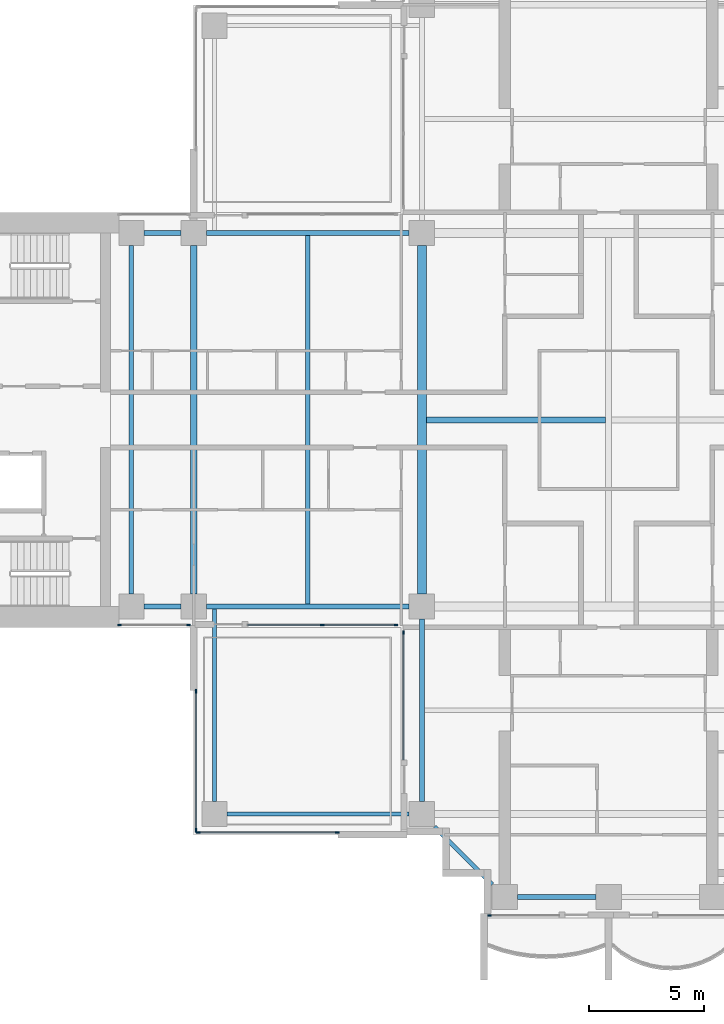
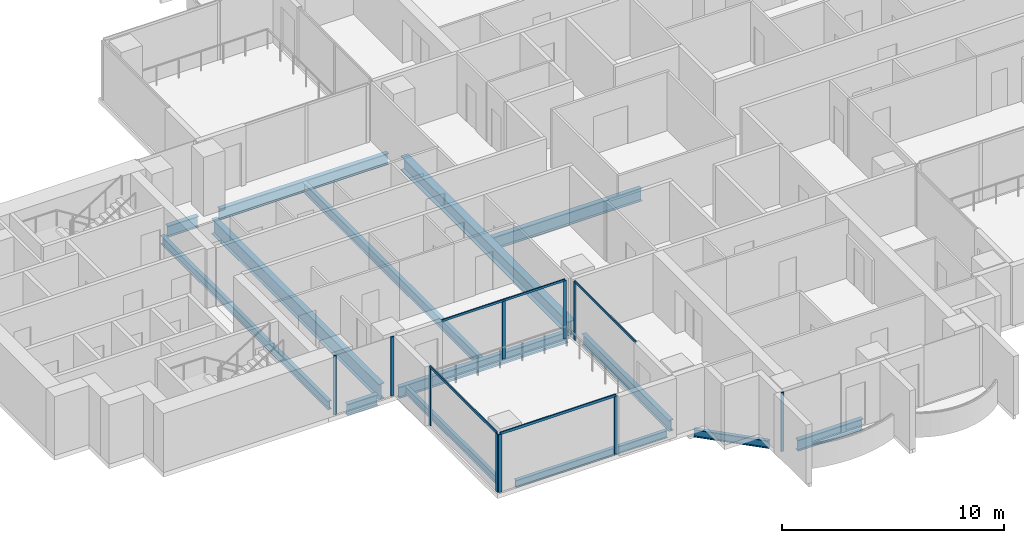
# One storey, part 2 of 18: 14 beams, 14 members, 6 elements without a shape of their own.
"""IFC4 building model written with IfcOpenShell, lengths in metres."""

from ifc_helpers import new_model, si_unit, direction, frame, origin, origin_2d, place, context, subcontext, project, spatial, rectangle, i_section, extrude, material, material_profile, profile_set, type_object, element, aggregate, save


model = new_model("IFC4")

# Units and contexts
model_context = context("Model", 3, precision=1e-05, world=origin(), true_north=direction((0.0, 1.0)))
body_context = subcontext(model_context, "Body", "Model", "MODEL_VIEW")
ifc_project = project(units=[si_unit("LENGTHUNIT", "METRE"), si_unit("AREAUNIT", "SQUARE_METRE"), si_unit("VOLUMEUNIT", "CUBIC_METRE"), si_unit("PLANEANGLEUNIT", "RADIAN"), si_unit("MASSUNIT", "GRAM", prefix="KILO")], contexts=[model_context])

# Site, building, storey
site_placement = place(None, origin())
site = spatial("IfcSite", under=ifc_project, at=site_placement, CompositionType="ELEMENT")
building_placement = place(site_placement, origin())
building = spatial("IfcBuilding", under=site, at=building_placement, Name="Perihelion Cross Residences", CompositionType="ELEMENT")
storey_placement = place(building_placement, frame((0.0, 0.0, 130.39990234375)))
storey = spatial("IfcBuildingStorey", under=building, at=storey_placement, Name="L31", CompositionType="ELEMENT", Elevation=130.39990234375)

# Curtain wall, members
ifc_material_1 = material(Name="Bronze anodised aluminium, tinted glazing", Category="aluminium")
curtain_wall_type_1 = type_object("IfcCurtainWallType", Name="CW1", PredefinedType="NOTDEFINED", material=ifc_material_1)
curtain_wall_1_placement = place(storey_placement, origin())
curtain_wall_1 = element("IfcCurtainWall", 1, at=curtain_wall_1_placement, inside=storey, type_object=curtain_wall_type_1, Name="Curtain wall CW1 L31 west side south bay 1", PredefinedType="NOTDEFINED")
ifc_material_2 = material(Name="Bronze anodised aluminium", Category="aluminium")
ifc_material_profile_1 = material_profile(ifc_material_2, rectangle(XDim=0.06005859375, YDim=0.159912109375, at=origin_2d()), Name="CW1 mullion")
ifc_profile_set_1 = profile_set([ifc_material_profile_1], Name="Bronze anodised aluminium")
member_type_1 = type_object("IfcMemberType", Name="CW1 mullion", PredefinedType="MULLION", material=ifc_profile_set_1)
member_1_placement = place(storey_placement, frame((-21.219970703125, -8.89990234375, 0.0), z_axis=(0.0, 0.0, 1.0), x_axis=(0.0, 1.0, 0.0)))
member_1 = element("IfcMember", 2, at=member_1_placement, type_object=member_type_1, Name="CW1 mullion 1", PredefinedType="MULLION", context=body_context, shape_type="SweptSolid", body=[
    extrude(rectangle(XDim=0.06005859375, YDim=0.159912109375, at=origin_2d()), origin(), (0.0, 0.0, 1.0), 3.25),
])
member_2_placement = place(storey_placement, frame((-18.22998046875, -8.89990234375, 0.0), z_axis=(0.0, 0.0, 1.0), x_axis=(0.0, 1.0, 0.0)))
member_2 = element("IfcMember", 3, at=member_2_placement, type_object=member_type_1, Name="CW1 mullion 2", PredefinedType="MULLION", context=body_context, shape_type="SweptSolid", body=[
    extrude(rectangle(XDim=0.06005859375, YDim=0.159912109375, at=origin_2d()), origin(), (0.0, 0.0, 1.0), 3.25),
])
aggregate(curtain_wall_1, [member_1, member_2])

curtain_wall_2_placement = place(storey_placement, origin())
curtain_wall_2 = element("IfcCurtainWall", 4, at=curtain_wall_2_placement, inside=storey, type_object=curtain_wall_type_1, Name="Curtain wall CW1 L31 west side south bay 2", PredefinedType="NOTDEFINED")
member_3_placement = place(storey_placement, frame((-12.425048828125, -8.89990234375, 0.0), z_axis=(0.0, 0.0, 1.0), x_axis=(0.0, 1.0, 0.0)))
member_3 = element("IfcMember", 5, at=member_3_placement, type_object=member_type_1, Name="CW1 mullion 2", PredefinedType="MULLION", context=body_context, shape_type="SweptSolid", body=[
    extrude(rectangle(XDim=0.06005859375, YDim=0.159912109375, at=origin_2d()), origin(), (0.0, 0.0, 1.0), 3.190185546875),
])
member_4_placement = place(storey_placement, frame((-9.22998046875, -8.89990234375, 0.0), z_axis=(0.0, 0.0, 1.0), x_axis=(0.0, 1.0, 0.0)))
member_4 = element("IfcMember", 6, at=member_4_placement, type_object=member_type_1, Name="CW1 mullion 3", PredefinedType="MULLION", context=body_context, shape_type="SweptSolid", body=[
    extrude(rectangle(XDim=0.06005859375, YDim=0.159912109375, at=origin_2d()), origin(), (0.0, 0.0, 1.0), 3.190185546875),
])

# Curtain wall, member
curtain_wall_3_placement = place(storey_placement, origin())
curtain_wall_3 = element("IfcCurtainWall", 7, at=curtain_wall_3_placement, inside=storey, type_object=curtain_wall_type_1, Name="Curtain wall CW1 L31 south side west bay 1", PredefinedType="NOTDEFINED")
member_5_placement = place(storey_placement, frame((-8.89990234375, -9.22998046875, 0.0), z_axis=(0.0, 0.0, 1.0), x_axis=(1.0, 0.0, 0.0)))
member_5 = element("IfcMember", 8, at=member_5_placement, type_object=member_type_1, Name="CW1 mullion 1", PredefinedType="MULLION", context=body_context, shape_type="SweptSolid", body=[
    extrude(rectangle(XDim=0.06005859375, YDim=0.159912109375, at=origin_2d()), origin(), (0.0, 0.0, 1.0), 3.190185546875),
])

curtain_wall_4_placement = place(storey_placement, origin())
curtain_wall_4 = element("IfcCurtainWall", 9, at=curtain_wall_4_placement, inside=storey, type_object=curtain_wall_type_1, Name="Curtain wall CW1 L31 south tip south bay 1", PredefinedType="NOTDEFINED")
member_6_placement = place(storey_placement, frame((-5.169921875, -21.5, 0.0), z_axis=(0.0, 0.0, 1.0), x_axis=(0.0, 1.0, 0.0)))
member_6 = element("IfcMember", 10, at=member_6_placement, type_object=member_type_1, Name="CW1 mullion 1", PredefinedType="MULLION", context=body_context, shape_type="SweptSolid", body=[
    extrude(rectangle(XDim=0.06005859375, YDim=0.159912109375, at=origin_2d()), origin(), (0.0, 0.0, 1.0), 3.25),
])
aggregate(curtain_wall_4, [member_6])

# Member
ifc_material_3 = material(Name="Bronze anodised aluminium", Category="aluminium")
ifc_material_profile_2 = material_profile(ifc_material_3, rectangle(XDim=0.06005859375, YDim=0.1201171875, at=origin_2d()), Name="CW1 transom")
ifc_profile_set_2 = profile_set([ifc_material_profile_2], Name="Bronze anodised aluminium")
member_type_2 = type_object("IfcMemberType", Name="CW1 transom", PredefinedType="USERDEFINED", material=ifc_profile_set_2)
member_7_placement = place(storey_placement, frame((-15.64990234375, -8.89990234375, 3.22021484375), z_axis=(1.0, 0.0, 0.0), x_axis=(0.0, 1.0, 0.0)))
member_7 = element("IfcMember", 11, at=member_7_placement, type_object=member_type_2, Name="CW1 head transom", ObjectType="TRANSOM", PredefinedType="USERDEFINED", context=body_context, shape_type="SweptSolid", body=[
    extrude(rectangle(XDim=0.06005859375, YDim=0.1201171875, at=origin_2d()), origin(), (0.0, 0.0, 1.0), 6.419921875),
])

aggregate(curtain_wall_2, [member_3, member_4, member_7])

member_8_placement = place(storey_placement, frame((-8.89990234375, -9.22998046875, 3.22021484375), z_axis=(0.0, -1.0, 0.0), x_axis=(1.0, 0.0, 0.0)))
member_8 = element("IfcMember", 12, at=member_8_placement, type_object=member_type_2, Name="CW1 head transom", ObjectType="TRANSOM", PredefinedType="USERDEFINED", context=body_context, shape_type="SweptSolid", body=[
    extrude(rectangle(XDim=0.06005859375, YDim=0.1201171875, at=origin_2d()), origin(), (0.0, 0.0, 1.0), 5.52001953125),
])

aggregate(curtain_wall_3, [member_5, member_8])

# Curtain wall, members
ifc_material_4 = material(Name="Bronze anodised aluminium, tinted glazing", Category="aluminium")
curtain_wall_type_2 = type_object("IfcCurtainWallType", Name="CW4", PredefinedType="NOTDEFINED", material=ifc_material_4)
curtain_wall_5_placement = place(storey_placement, origin())
curtain_wall_5 = element("IfcCurtainWall", 13, at=curtain_wall_5_placement, inside=storey, type_object=curtain_wall_type_2, Name="Curtain wall CW4 L31 pocket south-west 1 1", PredefinedType="NOTDEFINED")
ifc_material_5 = material(Name="Bronze anodised aluminium", Category="aluminium")
ifc_material_profile_3 = material_profile(ifc_material_5, rectangle(XDim=0.06005859375, YDim=0.179931640625, at=origin_2d()), Name="CW4 mullion")
ifc_profile_set_3 = profile_set([ifc_material_profile_3], Name="Bronze anodised aluminium")
member_type_3 = type_object("IfcMemberType", Name="CW4 mullion", PredefinedType="MULLION", material=ifc_profile_set_3)
member_9_placement = place(storey_placement, frame((-11.77001953125, -17.89990234375, 0.0), z_axis=(0.0, 0.0, 1.0), x_axis=(0.0, -1.0, 0.0)))
member_9 = element("IfcMember", 14, at=member_9_placement, type_object=member_type_3, Name="CW4 mullion 1", PredefinedType="MULLION", context=body_context, shape_type="SweptSolid", body=[
    extrude(rectangle(XDim=0.06005859375, YDim=0.179931640625, at=origin_2d()), origin(), (0.0, 0.0, 1.0), 3.190185546875),
])
member_10_placement = place(storey_placement, frame((-17.800048828125, -17.89990234375, 0.0), z_axis=(0.0, 0.0, 1.0), x_axis=(0.0, -1.0, 0.0)))
member_10 = element("IfcMember", 15, at=member_10_placement, type_object=member_type_3, Name="CW4 mullion 2", PredefinedType="MULLION", context=body_context, shape_type="SweptSolid", body=[
    extrude(rectangle(XDim=0.06005859375, YDim=0.179931640625, at=origin_2d()), origin(), (0.0, 0.0, 1.0), 3.190185546875),
])

curtain_wall_6_placement = place(storey_placement, origin())
curtain_wall_6 = element("IfcCurtainWall", 16, at=curtain_wall_6_placement, inside=storey, type_object=curtain_wall_type_2, Name="Curtain wall CW4 L31 pocket south-west 1 2", PredefinedType="NOTDEFINED")
member_11_placement = place(storey_placement, frame((-17.89990234375, -17.800048828125, 0.0), z_axis=(0.0, 0.0, 1.0), x_axis=(-1.0, 0.0, 0.0)))
member_11 = element("IfcMember", 17, at=member_11_placement, type_object=member_type_3, Name="CW4 mullion 1", PredefinedType="MULLION", context=body_context, shape_type="SweptSolid", body=[
    extrude(rectangle(XDim=0.06005859375, YDim=0.179931640625, at=origin_2d()), origin(), (0.0, 0.0, 1.0), 3.190185546875),
])
member_12_placement = place(storey_placement, frame((-17.89990234375, -11.77001953125, 0.0), z_axis=(0.0, 0.0, 1.0), x_axis=(-1.0, 0.0, 0.0)))
member_12 = element("IfcMember", 18, at=member_12_placement, type_object=member_type_3, Name="CW4 mullion 2", PredefinedType="MULLION", context=body_context, shape_type="SweptSolid", body=[
    extrude(rectangle(XDim=0.06005859375, YDim=0.179931640625, at=origin_2d()), origin(), (0.0, 0.0, 1.0), 3.190185546875),
])

# Member
ifc_material_6 = material(Name="Bronze anodised aluminium", Category="aluminium")
ifc_material_profile_4 = material_profile(ifc_material_6, rectangle(XDim=0.06005859375, YDim=0.139892578125, at=origin_2d()), Name="CW4 transom")
ifc_profile_set_4 = profile_set([ifc_material_profile_4], Name="Bronze anodised aluminium")
member_type_4 = type_object("IfcMemberType", Name="CW4 transom", PredefinedType="USERDEFINED", material=ifc_profile_set_4)
member_13_placement = place(storey_placement, frame((-11.77001953125, -17.89990234375, 3.22021484375), z_axis=(-1.0, 0.0, 0.0), x_axis=(0.0, -1.0, 0.0)))
member_13 = element("IfcMember", 19, at=member_13_placement, type_object=member_type_4, Name="CW4 head transom", ObjectType="TRANSOM", PredefinedType="USERDEFINED", context=body_context, shape_type="SweptSolid", body=[
    extrude(rectangle(XDim=0.06005859375, YDim=0.139892578125, at=origin_2d()), origin(), (0.0, 0.0, 1.0), 6.030029296875),
])

aggregate(curtain_wall_5, [member_9, member_10, member_13])

member_14_placement = place(storey_placement, frame((-17.89990234375, -17.800048828125, 3.22021484375), z_axis=(0.0, 1.0, 0.0), x_axis=(-1.0, 0.0, 0.0)))
member_14 = element("IfcMember", 20, at=member_14_placement, type_object=member_type_4, Name="CW4 head transom", ObjectType="TRANSOM", PredefinedType="USERDEFINED", context=body_context, shape_type="SweptSolid", body=[
    extrude(rectangle(XDim=0.06005859375, YDim=0.139892578125, at=origin_2d()), origin(), (0.0, 0.0, 1.0), 6.030029296875),
])

aggregate(curtain_wall_6, [member_11, member_12, member_14])

# Beams
ifc_material_7 = material(Name="Steel S355", Category="steel")
ifc_material_profile_5 = material_profile(ifc_material_7, i_section(OverallWidth=0.177978515625, OverallDepth=0.406005859375, WebThickness=0.0078125, FlangeThickness=0.0126953125, at=origin_2d()), Name="W410x60")
ifc_profile_set_5 = profile_set([ifc_material_profile_5], Name="Steel S355")
beam_type_1 = type_object("IfcBeamType", Name="Core edge beam W410x60", PredefinedType="BEAM", material=ifc_profile_set_5)
beam_1_placement = place(storey_placement, frame((-17.10009765625, -8.214599609375, -0.452880859375), z_axis=(0.0, -1.0, 0.0), x_axis=(1.0, 0.0, 0.0)))
element("IfcBeam", 21, at=beam_1_placement, inside=storey, type_object=beam_type_1, Name="Core edge beam TB2 L31 corner no. 1", PredefinedType="BEAM", context=body_context, shape_type="SweptSolid", body=[
    extrude(i_section(OverallWidth=0.177978515625, OverallDepth=0.406005859375, WebThickness=0.0078125, FlangeThickness=0.0126953125, at=origin_2d()), origin(), (0.0, 0.0, 1.0), 8.33544921875),
])
beam_2_placement = place(storey_placement, frame((-8.64990234375, -17.10009765625, -0.452880859375), z_axis=(-1.0, 0.0, 0.0), x_axis=(0.0, -1.0, 0.0)))
element("IfcBeam", 22, at=beam_2_placement, inside=storey, type_object=beam_type_1, Name="Core edge beam TB2 L31 corner no. 2", PredefinedType="BEAM", context=body_context, shape_type="SweptSolid", body=[
    extrude(i_section(OverallWidth=0.177978515625, OverallDepth=0.406005859375, WebThickness=0.0078125, FlangeThickness=0.0126953125, at=origin_2d()), origin(), (0.0, 0.0, 1.0), 7.900146484375),
])
ifc_material_8 = material(Name="Steel S355", Category="steel")
ifc_material_profile_6 = material_profile(ifc_material_8, i_section(OverallWidth=0.194091796875, OverallDepth=0.469970703125, WebThickness=0.0126953125, FlangeThickness=0.0205078125, at=origin_2d()), Name="W460x106")
ifc_profile_set_6 = profile_set([ifc_material_profile_6], Name="Steel S355")
beam_type_2 = type_object("IfcBeamType", Name="Core edge beam W460x106", PredefinedType="BEAM", material=ifc_profile_set_6)
beam_3_placement = place(storey_placement, frame((-20.699951171875, -7.550048828125, -0.48486328125), z_axis=(0.0, 1.0, 0.0), x_axis=(-1.0, 0.0, 0.0)))
element("IfcBeam", 23, at=beam_3_placement, inside=storey, type_object=beam_type_2, Name="Core edge beam TB5 L31 no. 1", PredefinedType="BEAM", context=body_context, shape_type="SweptSolid", body=[
    extrude(i_section(OverallWidth=0.194091796875, OverallDepth=0.469970703125, WebThickness=0.0126953125, FlangeThickness=0.0205078125, at=origin_2d()), origin(), (0.0, 0.0, 1.0), 15.10009765625),
])
ifc_material_9 = material(Name="Steel S355", Category="steel")
ifc_material_profile_7 = material_profile(ifc_material_9, i_section(OverallWidth=0.22900390625, OverallDepth=0.612060546875, WebThickness=0.011962890625, FlangeThickness=0.01953125, at=origin_2d()), Name="W610x125")
ifc_profile_set_7 = profile_set([ifc_material_profile_7], Name="Steel S355")
beam_type_3 = type_object("IfcBeamType", Name="Edge beam W610x125", PredefinedType="SPANDREL", material=ifc_profile_set_7)
beam_4_placement = place(storey_placement, frame((-8.64990234375, 8.10009765625, -0.555908203125), z_axis=(-1.0, 0.0, 0.0), x_axis=(0.0, -1.0, 0.0)))
element("IfcBeam", 24, at=beam_4_placement, inside=storey, type_object=beam_type_3, Name="Edge beam SB3 L31 no. 8", PredefinedType="SPANDREL", context=body_context, shape_type="SweptSolid", body=[
    extrude(i_section(OverallWidth=0.22900390625, OverallDepth=0.612060546875, WebThickness=0.011962890625, FlangeThickness=0.01953125, at=origin_2d()), origin(), (0.0, 0.0, 1.0), 8.800048828125),
])
for number, where, z_axis, x_axis, name in (
    (25, (-18.550048828125, 8.10009765625, -0.555908203125), (-1.0, 0.0, 0.0), (0.0, -1.0, 0.0), "Edge beam SB3 L31 no. 2"),
    (26, (-20.14990234375, -8.10009765625, -0.555908203125), (1.0, 0.0, 0.0), (0.0, 1.0, 0.0), "Edge beam SB3 L31 no. 3"),
):
    element("IfcBeam", number, at=place(storey_placement, frame(where, z_axis=z_axis, x_axis=x_axis)), inside=storey, type_object=beam_type_3, Name=name, PredefinedType="SPANDREL", context=body_context, shape_type="SweptSolid", body=[
        extrude(i_section(OverallWidth=0.22900390625, OverallDepth=0.612060546875, WebThickness=0.011962890625, FlangeThickness=0.01953125, at=origin_2d()), origin(), (0.0, 0.0, 1.0), 1.599853515625),
    ])
beam_5_placement = place(storey_placement, frame((-17.449951171875, -8.10009765625, -0.555908203125), z_axis=(1.0, 0.0, 0.0), x_axis=(0.0, 1.0, 0.0)))
element("IfcBeam", 27, at=beam_5_placement, inside=storey, type_object=beam_type_3, Name="Edge beam SB3 L31 no. 1", PredefinedType="SPANDREL", context=body_context, shape_type="SweptSolid", body=[
    extrude(i_section(OverallWidth=0.22900390625, OverallDepth=0.612060546875, WebThickness=0.011962890625, FlangeThickness=0.01953125, at=origin_2d()), origin(), (0.0, 0.0, 1.0), 8.800048828125),
])
beam_6_placement = place(storey_placement, frame((-8.10009765625, -8.64990234375, -0.555908203125), z_axis=(0.0, -1.0, 0.0), x_axis=(1.0, 0.0, 0.0)))
element("IfcBeam", 28, at=beam_6_placement, inside=storey, type_object=beam_type_3, Name="Edge beam SB3 L31 no. 5", PredefinedType="SPANDREL", context=body_context, shape_type="SweptSolid", body=[
    extrude(i_section(OverallWidth=0.22900390625, OverallDepth=0.612060546875, WebThickness=0.011962890625, FlangeThickness=0.01953125, at=origin_2d()), origin(), (0.0, 0.0, 1.0), 7.900146484375),
])
beam_7_placement = place(storey_placement, frame((-3.949951171875, -20.699951171875, -0.555908203125), z_axis=(1.0, 0.0, 0.0), x_axis=(0.0, 1.0, 0.0)))
element("IfcBeam", 29, at=beam_7_placement, inside=storey, type_object=beam_type_3, Name="Edge beam SB3 L31 no. 4", PredefinedType="SPANDREL", context=body_context, shape_type="SweptSolid", body=[
    extrude(i_section(OverallWidth=0.22900390625, OverallDepth=0.612060546875, WebThickness=0.011962890625, FlangeThickness=0.01953125, at=origin_2d()), origin(), (0.0, 0.0, 1.0), 3.39990234375),
])
ifc_material_10 = material(Name="Steel S355", Category="steel")
ifc_material_profile_8 = material_profile(ifc_material_10, i_section(OverallWidth=0.2919921875, OverallDepth=0.8359375, WebThickness=0.013916015625, FlangeThickness=0.018798828125, at=origin_2d()), Name="W840x176")
ifc_profile_set_8 = profile_set([ifc_material_profile_8], Name="Steel S355")
beam_type_4 = type_object("IfcBeamType", Name="Floor girder W840x176", PredefinedType="BEAM", material=ifc_profile_set_8)
beam_8_placement = place(storey_placement, frame((-18.0, -7.550048828125, -0.66796875), z_axis=(0.0, 1.0, 0.0), x_axis=(-1.0, 0.0, 0.0)))
element("IfcBeam", 30, at=beam_8_placement, inside=storey, type_object=beam_type_4, Name="Girder G3 L31 no. 1", PredefinedType="BEAM", context=body_context, shape_type="SweptSolid", body=[
    extrude(i_section(OverallWidth=0.2919921875, OverallDepth=0.8359375, WebThickness=0.013916015625, FlangeThickness=0.018798828125, at=origin_2d()), origin(), (0.0, 0.0, 1.0), 15.10009765625),
])
ifc_material_11 = material(Name="Steel S355", Category="steel")
ifc_material_profile_9 = material_profile(ifc_material_11, i_section(OverallWidth=0.208984375, OverallDepth=0.532958984375, WebThickness=0.01025390625, FlangeThickness=0.015625, at=origin_2d()), Name="W530x92")
ifc_profile_set_9 = profile_set([ifc_material_profile_9], Name="Steel S355")
beam_type_5 = type_object("IfcBeamType", Name="Floor joist W530x92", PredefinedType="JOIST", material=ifc_profile_set_9)
beam_9_placement = place(storey_placement, frame((-13.050048828125, -7.985595703125, -0.516357421875), z_axis=(0.0, 1.0, 0.0), x_axis=(-1.0, 0.0, 0.0)))
element("IfcBeam", 31, at=beam_9_placement, inside=storey, type_object=beam_type_5, Name="Joist J4 L31 no. 1", PredefinedType="JOIST", context=body_context, shape_type="SweptSolid", body=[
    extrude(i_section(OverallWidth=0.208984375, OverallDepth=0.532958984375, WebThickness=0.01025390625, FlangeThickness=0.015625, at=origin_2d()), origin(), (0.0, 0.0, 1.0), 15.97119140625),
])
ifc_material_12 = material(Name="Steel S355", Category="steel")
ifc_material_profile_10 = material_profile(ifc_material_12, i_section(OverallWidth=0.257080078125, OverallDepth=0.693115234375, WebThickness=0.014404296875, FlangeThickness=0.023681640625, at=origin_2d()), Name="W690x170")
ifc_profile_set_10 = profile_set([ifc_material_profile_10], Name="Steel S355")
beam_type_6 = type_object("IfcBeamType", Name="Hub cross beam W690x170", PredefinedType="BEAM", material=ifc_profile_set_10)
beam_10_placement = place(storey_placement, frame((-7.909423828125, 0.0, -0.596435546875), z_axis=(1.0, 0.0, 0.0), x_axis=(0.0, 1.0, 0.0)))
element("IfcBeam", 32, at=beam_10_placement, inside=storey, type_object=beam_type_6, Name="Hub cross beam XB3 L31 1 no. 1", PredefinedType="BEAM", context=body_context, shape_type="SweptSolid", body=[
    extrude(i_section(OverallWidth=0.257080078125, OverallDepth=0.693115234375, WebThickness=0.014404296875, FlangeThickness=0.023681640625, at=origin_2d()), origin(), (0.0, 0.0, 1.0), 7.781005859375),
])
ifc_material_13 = material(Name="Steel S355", Category="steel")
ifc_material_profile_11 = material_profile(ifc_material_13, i_section(OverallWidth=0.381103515625, OverallDepth=0.77197265625, WebThickness=0.0166015625, FlangeThickness=0.027099609375, at=origin_2d()), Name="W760x257")
ifc_profile_set_11 = profile_set([ifc_material_profile_11], Name="Steel S355")
beam_type_7 = type_object("IfcBeamType", Name="Hub ring girder W760x257", PredefinedType="BEAM", material=ifc_profile_set_11)
beam_11_placement = place(storey_placement, frame((-8.10009765625, 7.550048828125, -0.635986328125), z_axis=(0.0, -1.0, 0.0), x_axis=(1.0, 0.0, 0.0)))
element("IfcBeam", 33, at=beam_11_placement, inside=storey, type_object=beam_type_7, Name="Hub ring girder RG3 L31 no. 2", PredefinedType="BEAM", context=body_context, shape_type="SweptSolid", body=[
    extrude(i_section(OverallWidth=0.381103515625, OverallDepth=0.77197265625, WebThickness=0.0166015625, FlangeThickness=0.027099609375, at=origin_2d()), origin(), (0.0, 0.0, 1.0), 15.10009765625),
])
ifc_material_14 = material(Name="Steel S355", Category="steel")
ifc_material_profile_12 = material_profile(ifc_material_14, i_section(OverallWidth=0.180908203125, OverallDepth=0.4169921875, WebThickness=0.010986328125, FlangeThickness=0.018310546875, at=origin_2d()), Name="W410x85")
ifc_profile_set_12 = profile_set([ifc_material_profile_12], Name="Steel S355")
beam_type_8 = type_object("IfcBeamType", Name="Serration edge beam W410x85", PredefinedType="BEAM", material=ifc_profile_set_12)
beam_12_placement = place(storey_placement, frame((-7.550048828125, -17.64990234375, -0.45849609375), z_axis=(0.707106781187, -0.707106781187, 0.0), x_axis=(0.707106781187, 0.707106781187, 0.0)))
element("IfcBeam", 34, at=beam_12_placement, inside=storey, type_object=beam_type_8, Name="Serration edge beam EB3 L31 no. 2", PredefinedType="BEAM", context=body_context, shape_type="SweptSolid", body=[
    extrude(i_section(OverallWidth=0.180908203125, OverallDepth=0.4169921875, WebThickness=0.010986328125, FlangeThickness=0.018310546875, at=origin_2d()), origin(), (0.0, 0.0, 1.0), 3.53564453125),
])

save(model, "model.ifc")
